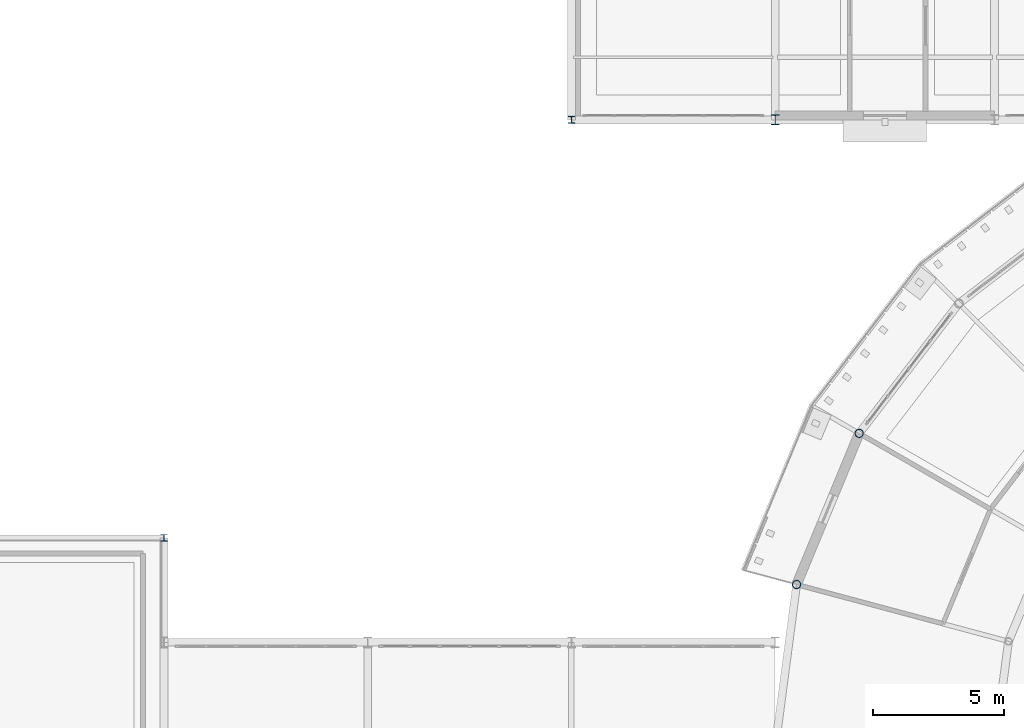
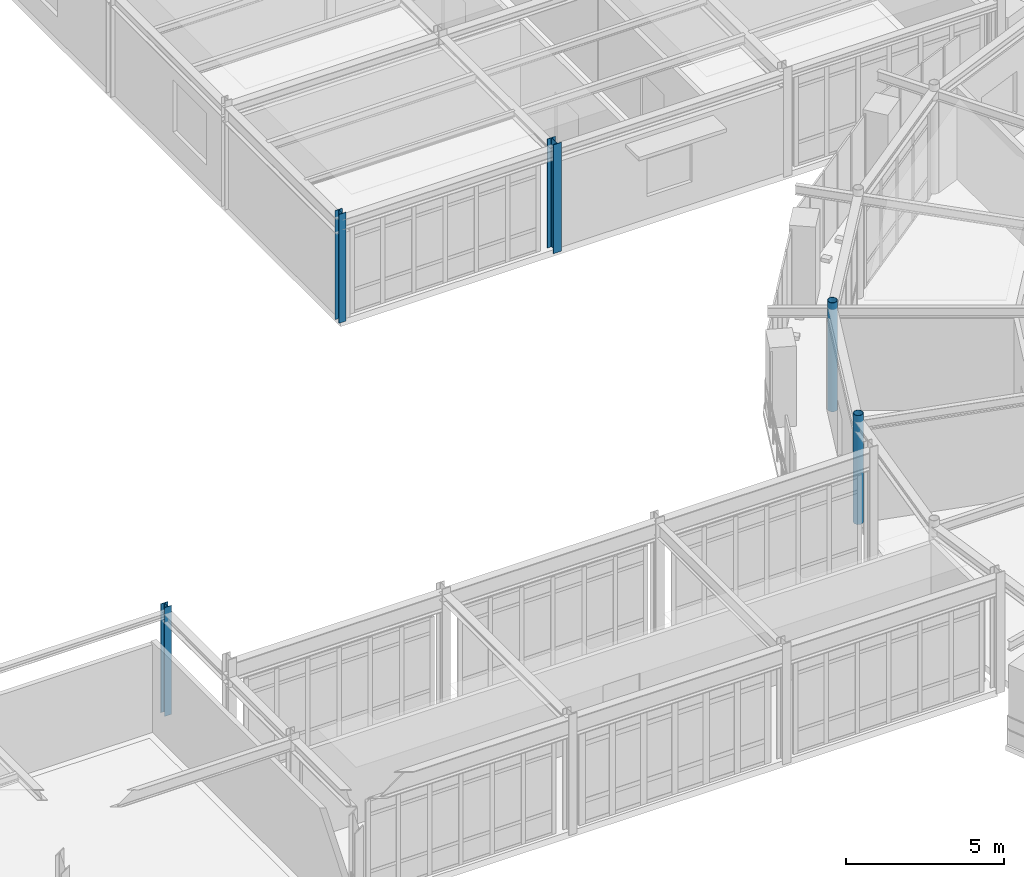
# One storey, part 12 of 90: 5 columns.
"""IFC4 building model written with IfcOpenShell, lengths in metres."""

from ifc_helpers import new_model, si_unit, derived_unit, direction, frame, origin, origin_2d, place, context, subcontext, project, spatial, hollow_circle, i_section, extrude, material, material_profile, profile_set, type_object, element, save


model = new_model("IFC4")

# Units and contexts
model_context = context("Model", 3, precision=1e-05, world=origin(), true_north=direction((0.0, 1.0)))
body_context = subcontext(model_context, "Body", "Model", "MODEL_VIEW")
ifc_project = project(units=[si_unit("LENGTHUNIT", "METRE"), si_unit("AREAUNIT", "SQUARE_METRE"), si_unit("VOLUMEUNIT", "CUBIC_METRE"), si_unit("PLANEANGLEUNIT", "RADIAN"), si_unit("MASSUNIT", "GRAM", prefix="KILO"), derived_unit("THERMALTRANSMITTANCEUNIT", [(si_unit("POWERUNIT", "WATT"), 1), (si_unit("AREAUNIT", "SQUARE_METRE"), -1), (si_unit("THERMODYNAMICTEMPERATUREUNIT", "KELVIN"), -1)])], contexts=[model_context])

# Site, building, storey
site_placement = place(None, origin())
site = spatial("IfcSite", under=ifc_project, at=site_placement, CompositionType="ELEMENT")
building_placement = place(site_placement, origin())
building = spatial("IfcBuilding", under=site, at=building_placement, Name="Yasenodar Specialist Clinic", CompositionType="ELEMENT")
storey_placement = place(building_placement, frame((0.0, 0.0, 9.0)))
storey = spatial("IfcBuildingStorey", under=building, at=storey_placement, Name="L02", CompositionType="ELEMENT", Elevation=9.0)

# Columns
ifc_material = material(Name="Steel S355", Category="steel")
ifc_material_profile_1 = material_profile(ifc_material, hollow_circle(Radius=0.161865234375, WallThickness=0.01611328125, at=origin_2d()), Name="CHS 323.9x16")
ifc_profile_set_1 = profile_set([ifc_material_profile_1], Name="Steel S355")
column_type_1 = type_object("IfcColumnType", Name="COL-ST-CHS324", PredefinedType="COLUMN", material=ifc_profile_set_1)
for number, where, z_axis, x_axis, name in (
    (1, (60.21533203125, 70.800048828125, 0.0), (0.0, 0.0, 1.0), (1.0, 0.0, 0.0), "L02 Drum V1 Outer Column 11"),
    (2, (57.81787109375, 65.01171875, 0.0), (0.0, 0.0, 1.0), (1.0, 0.0, 0.0), "L02 Drum V1 Outer Column 12"),
):
    element("IfcColumn", number, at=place(storey_placement, frame(where, z_axis=z_axis, x_axis=x_axis)), inside=storey, type_object=column_type_1, Name=name, PredefinedType="COLUMN", context=body_context, shape_type="SweptSolid", body=[
        extrude(hollow_circle(Radius=0.161865234375, WallThickness=0.01611328125, at=origin_2d()), origin(), (0.0, 0.0, 1.0), 4.199951171875),
    ])
ifc_material_profile_2 = material_profile(ifc_material, i_section(OverallWidth=0.260009765625, OverallDepth=0.25, WebThickness=0.007568359375, FlangeThickness=0.012451171875, FilletRadius=0.02392578125, at=origin_2d()), Name="HEA 260")
ifc_profile_set_2 = profile_set([ifc_material_profile_2], Name="Steel S355")
column_type_2 = type_object("IfcColumnType", Name="COL-ST-HEA260", PredefinedType="COLUMN", material=ifc_profile_set_2)
column_1_placement = place(storey_placement, frame((33.60009765625, 66.800048828125, 0.0), z_axis=(0.0, 0.0, 1.0), x_axis=(1.0, 0.0, 0.0)))
element("IfcColumn", 3, at=column_1_placement, inside=storey, type_object=column_type_2, Name="L02 Column V4-068", PredefinedType="COLUMN", context=body_context, shape_type="SweptSolid", body=[
    extrude(i_section(OverallWidth=0.260009765625, OverallDepth=0.25, WebThickness=0.007568359375, FlangeThickness=0.012451171875, FilletRadius=0.02392578125, at=origin_2d()), origin(), (0.0, 0.0, 1.0), 4.199951171875),
])
ifc_material_profile_3 = material_profile(ifc_material, i_section(OverallWidth=0.300048828125, OverallDepth=0.389892578125, WebThickness=0.010986328125, FlangeThickness=0.01904296875, FilletRadius=0.027099609375, at=origin_2d()), Name="HEA 400")
ifc_profile_set_3 = profile_set([ifc_material_profile_3], Name="Steel S355")
column_type_3 = type_object("IfcColumnType", Name="COL-ST-HEA400", PredefinedType="COLUMN", material=ifc_profile_set_3)
column_2_placement = place(storey_placement, frame((57.0, 82.800048828125, 0.0), z_axis=(0.0, 0.0, 1.0), x_axis=(1.0, 0.0, 0.0)))
element("IfcColumn", 4, at=column_2_placement, inside=storey, type_object=column_type_3, Name="L02 Column V5-088", PredefinedType="COLUMN", context=body_context, shape_type="SweptSolid", body=[
    extrude(i_section(OverallWidth=0.300048828125, OverallDepth=0.389892578125, WebThickness=0.010986328125, FlangeThickness=0.01904296875, FilletRadius=0.027099609375, at=origin_2d()), origin(), (0.0, 0.0, 1.0), 4.199951171875),
])
ifc_material_profile_4 = material_profile(ifc_material, i_section(OverallWidth=0.260009765625, OverallDepth=0.260009765625, WebThickness=0.010009765625, FlangeThickness=0.017578125, FilletRadius=0.02392578125, at=origin_2d()), Name="HEB 260")
ifc_profile_set_4 = profile_set([ifc_material_profile_4], Name="Steel S355")
column_type_4 = type_object("IfcColumnType", Name="COL-ST-HEB260", PredefinedType="COLUMN", material=ifc_profile_set_4)
column_3_placement = place(storey_placement, frame((49.199951171875, 82.800048828125, 0.0), z_axis=(0.0, 0.0, 1.0), x_axis=(1.0, 0.0, 0.0)))
element("IfcColumn", 5, at=column_3_placement, inside=storey, type_object=column_type_4, Name="L02 Column V5-081", PredefinedType="COLUMN", context=body_context, shape_type="SweptSolid", body=[
    extrude(i_section(OverallWidth=0.260009765625, OverallDepth=0.260009765625, WebThickness=0.010009765625, FlangeThickness=0.017578125, FilletRadius=0.02392578125, at=origin_2d()), origin(), (0.0, 0.0, 1.0), 4.199951171875),
])

save(model, "model.ifc")
